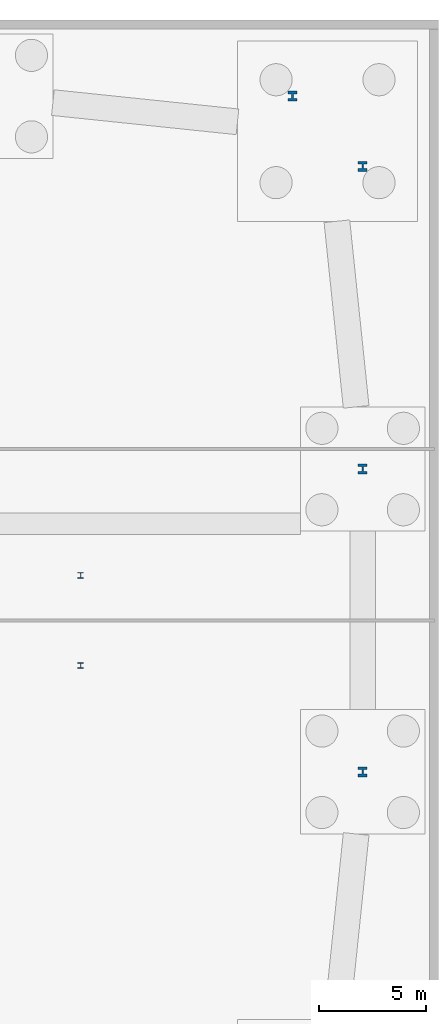
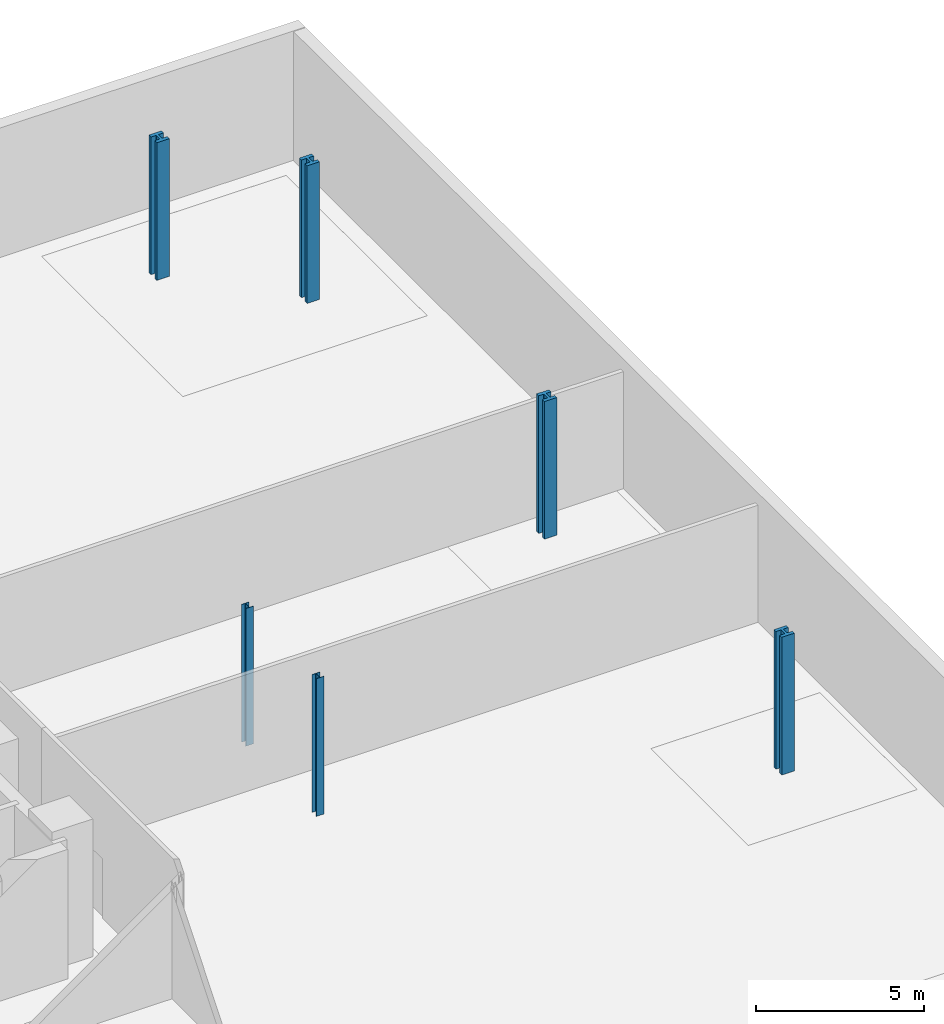
# One storey, part 9 of 16: 6 columns.
"""IFC4 building model written with IfcOpenShell, lengths in metres."""

from ifc_helpers import new_model, si_unit, direction, frame, origin, origin_2d, place, context, subcontext, project, spatial, i_section, extrude, material, material_profile, profile_set, type_object, element, save


model = new_model("IFC4")

# Units and contexts
model_context = context("Model", 3, precision=1e-05, world=origin(), true_north=direction((0.0, 1.0)))
body_context = subcontext(model_context, "Body", "Model", "MODEL_VIEW")
ifc_project = project(units=[si_unit("LENGTHUNIT", "METRE"), si_unit("AREAUNIT", "SQUARE_METRE"), si_unit("VOLUMEUNIT", "CUBIC_METRE"), si_unit("PLANEANGLEUNIT", "RADIAN"), si_unit("MASSUNIT", "GRAM", prefix="KILO")], contexts=[model_context])

# Site, building, storey
site_placement = place(None, origin())
site = spatial("IfcSite", under=ifc_project, at=site_placement, CompositionType="ELEMENT")
building_placement = place(site_placement, origin())
building = spatial("IfcBuilding", under=site, at=building_placement, Name="Menara Jurai Vektor", CompositionType="ELEMENT")
storey_placement = place(building_placement, frame((0.0, 0.0, -5.0)))
storey = spatial("IfcBuildingStorey", under=building, at=storey_placement, Name="B1", CompositionType="ELEMENT", Elevation=-5.0)

# Columns
ifc_material_1 = material(Name="Steel S355", Category="steel")
ifc_material_profile_1 = material_profile(ifc_material_1, i_section(OverallWidth=0.259033203125, OverallDepth=0.26708984375, WebThickness=0.012939453125, FlangeThickness=0.02099609375, FilletRadius=0.012939453125, at=origin_2d()), Name="UKC 254x254x107")
ifc_profile_set_1 = profile_set([ifc_material_profile_1], Name="Steel S355")
column_type_1 = type_object("IfcColumnType", Name="STR-COL-CANOPY", PredefinedType="COLUMN", material=ifc_profile_set_1)
for number, where, z_axis, x_axis, name in (
    (1, (25.300048828125, -2.10009765625, 0.0), (0.0, 0.0, 1.0), (1.0, 0.0, 0.0), "Canopy Support Sub-Column E6-1 B1"),
    (2, (25.300048828125, 2.10009765625, 0.0), (0.0, 0.0, 1.0), (1.0, 0.0, 0.0), "Canopy Support Sub-Column E6-2 B1"),
):
    element("IfcColumn", number, at=place(storey_placement, frame(where, z_axis=z_axis, x_axis=x_axis)), inside=storey, type_object=column_type_1, Name=name, PredefinedType="COLUMN", context=body_context, shape_type="SweptSolid", body=[
        extrude(i_section(OverallWidth=0.259033203125, OverallDepth=0.26708984375, WebThickness=0.012939453125, FlangeThickness=0.02099609375, FilletRadius=0.012939453125, at=origin_2d()), origin(), (0.0, 0.0, 1.0), 5.0),
    ])
ifc_material_2 = material(Name="Steel S460", Category="steel")
ifc_material_profile_2 = material_profile(ifc_material_2, i_section(OverallWidth=0.427978515625, OverallDepth=0.468994140625, WebThickness=0.077880859375, FlangeThickness=0.125, FilletRadius=0.014892578125, at=origin_2d()), Name="HD 400x1086")
ifc_profile_set_2 = profile_set([ifc_material_profile_2], Name="Steel S460")
column_type_2 = type_object("IfcColumnType", Name="STR-PILOTIS-HD1086", PredefinedType="USERDEFINED", material=ifc_profile_set_2)
for number, where, z_axis, x_axis, name in (
    (3, (38.449951171875, -7.059326171875, 0.0), (0.0, 0.0, 1.0), (1.0, 0.0, 0.0), "Open Pilotis Stilt Column PLT-E2 B1"),
    (4, (38.449951171875, 7.059326171875, 0.0), (0.0, 0.0, 1.0), (1.0, 0.0, 0.0), "Open Pilotis Stilt Column PLT-E3 B1"),
    (5, (38.449951171875, 21.177734375, 0.0), (0.0, 0.0, 1.0), (1.0, 0.0, 0.0), "Open Pilotis Stilt Column PLT-E4 B1"),
    (6, (35.177734375, 24.449951171875, 0.0), (0.0, 0.0, 1.0), (1.0, 0.0, 0.0), "Open Pilotis Stilt Column PLT-N1 B1"),
):
    element("IfcColumn", number, at=place(storey_placement, frame(where, z_axis=z_axis, x_axis=x_axis)), inside=storey, type_object=column_type_2, Name=name, ObjectType="PILOTIS", PredefinedType="USERDEFINED", context=body_context, shape_type="SweptSolid", body=[
        extrude(i_section(OverallWidth=0.427978515625, OverallDepth=0.468994140625, WebThickness=0.077880859375, FlangeThickness=0.125, FilletRadius=0.014892578125, at=origin_2d()), origin(), (0.0, 0.0, 1.0), 5.0),
    ])

save(model, "model.ifc")
